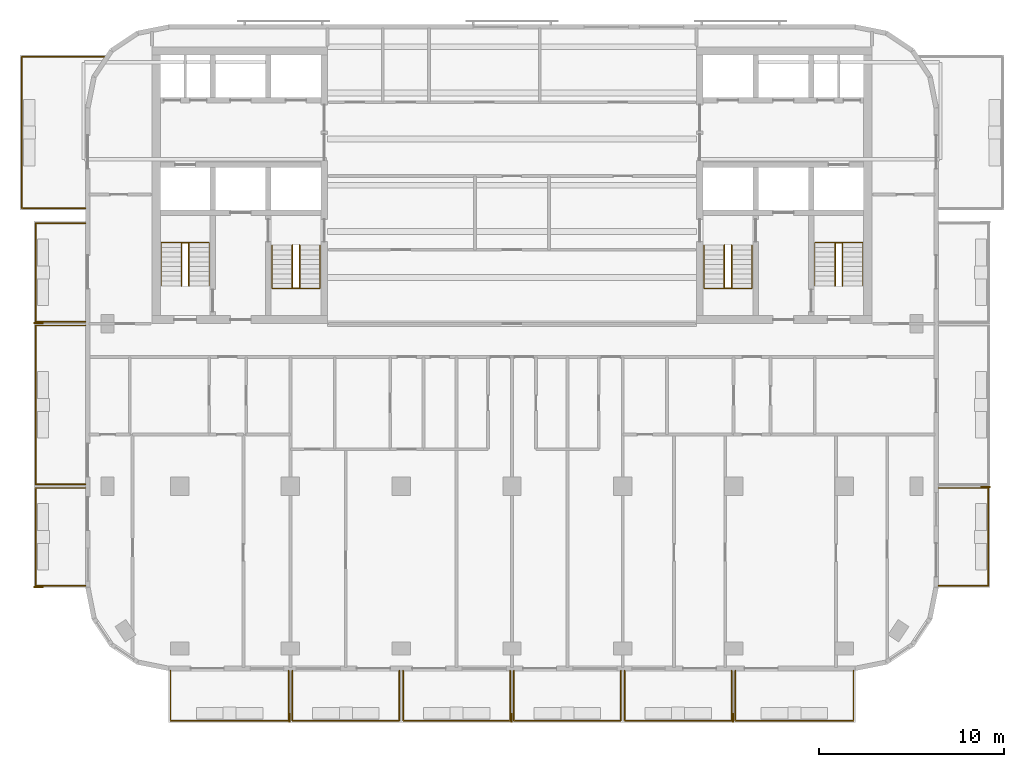
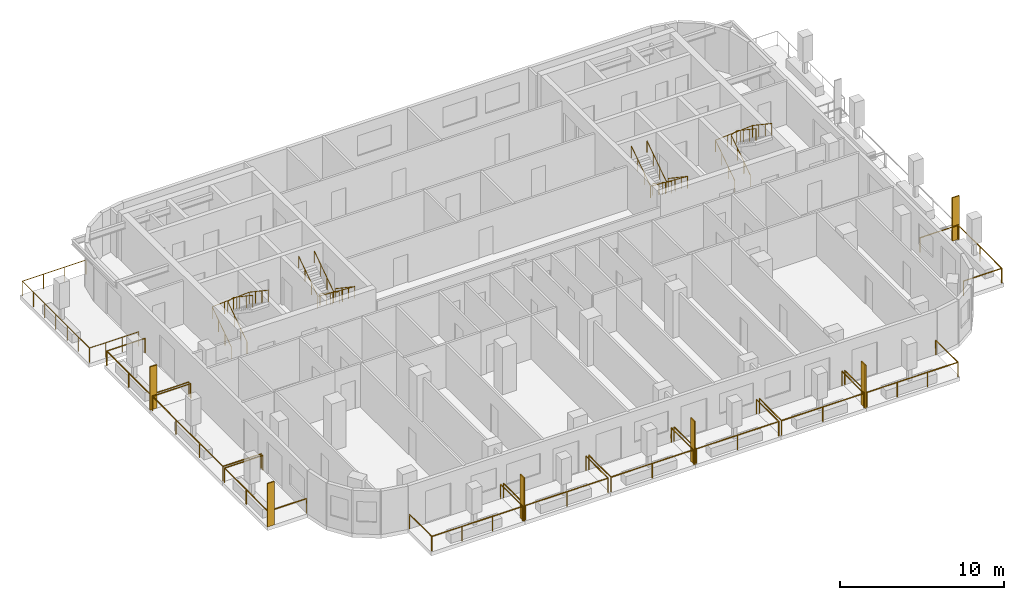
# One storey, part 9 of 11: 19 railings, 6 shading devices.
"""IFC4 building model written with IfcOpenShell, lengths in metres."""

from ifc_helpers import new_model, si_unit, direction, frame, origin, origin_2d, place, context, subcontext, project, spatial, rectangle, circle, extrude, material, layer, layer_set, type_object, element, save


model = new_model("IFC4")

# Units and contexts
model_context = context("Model", 3, precision=1e-05, world=origin(), true_north=direction((0.0, 1.0)))
body_context = subcontext(model_context, "Body", "Model", "MODEL_VIEW")
ifc_project = project(units=[si_unit("LENGTHUNIT", "METRE"), si_unit("AREAUNIT", "SQUARE_METRE"), si_unit("VOLUMEUNIT", "CUBIC_METRE"), si_unit("PLANEANGLEUNIT", "RADIAN"), si_unit("MASSUNIT", "GRAM", prefix="KILO")], contexts=[model_context])

# Site, building, storey
site_placement = place(None, origin())
site = spatial("IfcSite", under=ifc_project, at=site_placement, CompositionType="ELEMENT")
building_placement = place(site_placement, origin())
building = spatial("IfcBuilding", under=site, at=building_placement, Name="Torana Hotel and Residences", CompositionType="ELEMENT")
storey_placement = place(building_placement, frame((0.0, 0.0, 291.10009765625)))
storey = spatial("IfcBuildingStorey", under=building, at=storey_placement, Name="L77", CompositionType="ELEMENT", Elevation=291.10009765625)

# Shading devices
ifc_material_1 = material(Name="Black powder coated aluminium", Category="aluminium")
ifc_layer = layer(ifc_material_1, 0.080078125)
ifc_layer_set = layer_set([ifc_layer], Name="FN1 VERTICAL FIN 500x80")
shading_device_type = type_object("IfcShadingDeviceType", Name="FN1 VERTICAL FIN 500x80", PredefinedType="USERDEFINED", material=ifc_layer_set)
for number, where, z_axis, x_axis, name in (
    (1, (-12.0400390625, -36.35009765625, 0.0), (0.0, 0.0, 1.0), (-1.0, 0.0, 0.0), "Fin 01"),
    (2, (-0.0400390625, -36.35009765625, 0.0), (0.0, 0.0, 1.0), (-1.0, 0.0, 0.0), "Fin 03"),
    (3, (11.9599609375, -36.35009765625, 0.0), (0.0, 0.0, 1.0), (-1.0, 0.0, 0.0), "Fin 05"),
    (4, (-25.64990234375, -29.260009765625, 0.0), (0.0, 0.0, 1.0), (0.0, 1.0, 0.0), "Fin 07"),
    (5, (-25.64990234375, -14.9599609375, 0.0), (0.0, 0.0, 1.0), (0.0, 1.0, 0.0), "Fin 09"),
    (6, (25.64990234375, -23.840087890625, 0.0), (0.0, 0.0, 1.0), (0.0, -1.0, 0.0), "Fin 11"),
):
    element("IfcShadingDevice", number, at=place(storey_placement, frame(where, z_axis=z_axis, x_axis=x_axis)), inside=storey, type_object=shading_device_type, Name=name, ObjectType="FIN", PredefinedType="USERDEFINED", context=body_context, shape_type="SweptSolid", body=[
        extrude(rectangle(XDim=0.080078125, YDim=0.5, at=origin_2d()), origin(), (0.0, 0.0, 1.0), 3.219970703125),
    ])

# Railings
ifc_material_2 = material(Name="Laminated glass balustrade with black handrail", Category="glass")
railing_type_1 = type_object("IfcRailingType", Name="GR1 BALCONY GUARD 1100 GLASS", PredefinedType="GUARDRAIL", material=ifc_material_2)
railing_1_placement = place(storey_placement, frame((-12.10009765625, -33.800048828125, 0.0)))
element("IfcRailing", 7, at=railing_1_placement, inside=storey, type_object=railing_type_1, Name="Balcony guard 01", PredefinedType="GUARDRAIL", context=body_context, shape_type="SweptSolid", body=[
    extrude(circle(Radius=0.02392578125, at=origin_2d()), frame((0.0, 0.0, 1.076171875), z_axis=(0.0, -1.0, 0.0), x_axis=(1.0, 0.0, 0.0)), (0.0, 0.0, 1.0), 2.699951171875),
    extrude(circle(Radius=0.02392578125, at=origin_2d()), frame((0.0, -2.699951171875, 1.076171875), z_axis=(-1.0, 0.0, 0.0), x_axis=(0.0, -1.0, 0.0)), (0.0, 0.0, 1.0), 6.39990234375),
    extrude(circle(Radius=0.02392578125, at=origin_2d()), frame((-6.39990234375, -2.699951171875, 1.076171875), z_axis=(0.0, 1.0, 0.0), x_axis=(-1.0, 0.0, 0.0)), (0.0, 0.0, 1.0), 2.699951171875),
    extrude(circle(Radius=0.02099609375, at=origin_2d()), origin(), (0.0, 0.0, 1.0), 1.052001953125),
    extrude(circle(Radius=0.02099609375, at=origin_2d()), frame((0.0, -2.699951171875, 0.0)), (0.0, 0.0, 1.0), 1.052001953125),
    extrude(circle(Radius=0.02099609375, at=origin_2d()), frame((-2.13330078125, -2.699951171875, 0.0)), (0.0, 0.0, 1.0), 1.052001953125),
    extrude(circle(Radius=0.02099609375, at=origin_2d()), frame((-4.2666015625, -2.699951171875, 0.0)), (0.0, 0.0, 1.0), 1.052001953125),
    extrude(circle(Radius=0.02099609375, at=origin_2d()), frame((-6.39990234375, -2.699951171875, 0.0)), (0.0, 0.0, 1.0), 1.052001953125),
    extrude(circle(Radius=0.02099609375, at=origin_2d()), frame((-6.39990234375, 0.0, 0.0)), (0.0, 0.0, 1.0), 1.052001953125),
])
for number, where, name in (
    (8, (-6.10009765625, -33.800048828125, 0.0), "Balcony guard 02"),
    (9, (-0.10009765625, -33.800048828125, 0.0), "Balcony guard 03"),
    (10, (5.89990234375, -33.800048828125, 0.0), "Balcony guard 04"),
    (11, (11.89990234375, -33.800048828125, 0.0), "Balcony guard 05"),
):
    element("IfcRailing", number, at=place(storey_placement, frame(where)), inside=storey, type_object=railing_type_1, Name=name, PredefinedType="GUARDRAIL", context=body_context, shape_type="SweptSolid", body=[
        extrude(circle(Radius=0.02392578125, at=origin_2d()), frame((0.0, 0.0, 1.076171875), z_axis=(0.0, -1.0, 0.0), x_axis=(1.0, 0.0, 0.0)), (0.0, 0.0, 1.0), 2.699951171875),
        extrude(circle(Radius=0.02392578125, at=origin_2d()), frame((0.0, -2.699951171875, 1.076171875), z_axis=(-1.0, 0.0, 0.0), x_axis=(0.0, -1.0, 0.0)), (0.0, 0.0, 1.0), 5.7998046875),
        extrude(circle(Radius=0.02392578125, at=origin_2d()), frame((-5.7998046875, -2.699951171875, 1.076171875), z_axis=(0.0, 1.0, 0.0), x_axis=(-1.0, 0.0, 0.0)), (0.0, 0.0, 1.0), 2.699951171875),
        extrude(circle(Radius=0.02099609375, at=origin_2d()), origin(), (0.0, 0.0, 1.0), 1.052001953125),
        extrude(circle(Radius=0.02099609375, at=origin_2d()), frame((0.0, -2.699951171875, 0.0)), (0.0, 0.0, 1.0), 1.052001953125),
        extrude(circle(Radius=0.02099609375, at=origin_2d()), frame((-2.89990234375, -2.699951171875, 0.0)), (0.0, 0.0, 1.0), 1.052001953125),
        extrude(circle(Radius=0.02099609375, at=origin_2d()), frame((-5.7998046875, -2.699951171875, 0.0)), (0.0, 0.0, 1.0), 1.052001953125),
        extrude(circle(Radius=0.02099609375, at=origin_2d()), frame((-5.7998046875, 0.0, 0.0)), (0.0, 0.0, 1.0), 1.052001953125),
    ])
railing_2_placement = place(storey_placement, frame((18.5, -33.800048828125, 0.0)))
element("IfcRailing", 12, at=railing_2_placement, inside=storey, type_object=railing_type_1, Name="Balcony guard 06", PredefinedType="GUARDRAIL", context=body_context, shape_type="SweptSolid", body=[
    extrude(circle(Radius=0.02392578125, at=origin_2d()), frame((0.0, 0.0, 1.076171875), z_axis=(0.0, -1.0, 0.0), x_axis=(1.0, 0.0, 0.0)), (0.0, 0.0, 1.0), 2.699951171875),
    extrude(circle(Radius=0.02392578125, at=origin_2d()), frame((0.0, -2.699951171875, 1.076171875), z_axis=(-1.0, 0.0, 0.0), x_axis=(0.0, -1.0, 0.0)), (0.0, 0.0, 1.0), 6.39990234375),
    extrude(circle(Radius=0.02392578125, at=origin_2d()), frame((-6.39990234375, -2.699951171875, 1.076171875), z_axis=(0.0, 1.0, 0.0), x_axis=(-1.0, 0.0, 0.0)), (0.0, 0.0, 1.0), 2.699951171875),
    extrude(circle(Radius=0.02099609375, at=origin_2d()), origin(), (0.0, 0.0, 1.0), 1.052001953125),
    extrude(circle(Radius=0.02099609375, at=origin_2d()), frame((0.0, -2.699951171875, 0.0)), (0.0, 0.0, 1.0), 1.052001953125),
    extrude(circle(Radius=0.02099609375, at=origin_2d()), frame((-2.13330078125, -2.699951171875, 0.0)), (0.0, 0.0, 1.0), 1.052001953125),
    extrude(circle(Radius=0.02099609375, at=origin_2d()), frame((-4.2666015625, -2.699951171875, 0.0)), (0.0, 0.0, 1.0), 1.052001953125),
    extrude(circle(Radius=0.02099609375, at=origin_2d()), frame((-6.39990234375, -2.699951171875, 0.0)), (0.0, 0.0, 1.0), 1.052001953125),
    extrude(circle(Radius=0.02099609375, at=origin_2d()), frame((-6.39990234375, 0.0, 0.0)), (0.0, 0.0, 1.0), 1.052001953125),
])
railing_3_placement = place(storey_placement, frame((-23.10009765625, -29.199951171875, 0.0)))
element("IfcRailing", 13, at=railing_3_placement, inside=storey, type_object=railing_type_1, Name="Balcony guard 07", PredefinedType="GUARDRAIL", context=body_context, shape_type="SweptSolid", body=[
    extrude(circle(Radius=0.02392578125, at=origin_2d()), frame((0.0, 0.0, 1.076171875), z_axis=(-1.0, 0.0, 0.0), x_axis=(0.0, -1.0, 0.0)), (0.0, 0.0, 1.0), 2.699951171875),
    extrude(circle(Radius=0.02392578125, at=origin_2d()), frame((-2.699951171875, 0.0, 1.076171875), z_axis=(0.0, 1.0, 0.0), x_axis=(-1.0, 0.0, 0.0)), (0.0, 0.0, 1.0), 5.300048828125),
    extrude(circle(Radius=0.02392578125, at=origin_2d()), frame((-2.699951171875, 5.300048828125, 1.076171875), z_axis=(1.0, 0.0, 0.0), x_axis=(0.0, 1.0, 0.0)), (0.0, 0.0, 1.0), 2.699951171875),
    extrude(circle(Radius=0.02099609375, at=origin_2d()), origin(), (0.0, 0.0, 1.0), 1.052001953125),
    extrude(circle(Radius=0.02099609375, at=origin_2d()), frame((-2.699951171875, 0.0, 0.0)), (0.0, 0.0, 1.0), 1.052001953125),
    extrude(circle(Radius=0.02099609375, at=origin_2d()), frame((-2.699951171875, 2.64990234375, 0.0)), (0.0, 0.0, 1.0), 1.052001953125),
    extrude(circle(Radius=0.02099609375, at=origin_2d()), frame((-2.699951171875, 5.300048828125, 0.0)), (0.0, 0.0, 1.0), 1.052001953125),
    extrude(circle(Radius=0.02099609375, at=origin_2d()), frame((0.0, 5.300048828125, 0.0)), (0.0, 0.0, 1.0), 1.052001953125),
])
railing_4_placement = place(storey_placement, frame((-23.10009765625, -23.699951171875, 0.0)))
element("IfcRailing", 14, at=railing_4_placement, inside=storey, type_object=railing_type_1, Name="Balcony guard 08", PredefinedType="GUARDRAIL", context=body_context, shape_type="SweptSolid", body=[
    extrude(circle(Radius=0.02392578125, at=origin_2d()), frame((0.0, 0.0, 1.076171875), z_axis=(-1.0, 0.0, 0.0), x_axis=(0.0, -1.0, 0.0)), (0.0, 0.0, 1.0), 2.699951171875),
    extrude(circle(Radius=0.02392578125, at=origin_2d()), frame((-2.699951171875, 0.0, 1.076171875), z_axis=(0.0, 1.0, 0.0), x_axis=(-1.0, 0.0, 0.0)), (0.0, 0.0, 1.0), 8.599853515625),
    extrude(circle(Radius=0.02392578125, at=origin_2d()), frame((-2.699951171875, 8.599853515625, 1.076171875), z_axis=(1.0, 0.0, 0.0), x_axis=(0.0, 1.0, 0.0)), (0.0, 0.0, 1.0), 2.699951171875),
    extrude(circle(Radius=0.02099609375, at=origin_2d()), origin(), (0.0, 0.0, 1.0), 1.052001953125),
    extrude(circle(Radius=0.02099609375, at=origin_2d()), frame((-2.699951171875, 0.0, 0.0)), (0.0, 0.0, 1.0), 1.052001953125),
    extrude(circle(Radius=0.02099609375, at=origin_2d()), frame((-2.699951171875, 2.86669921875, 0.0)), (0.0, 0.0, 1.0), 1.052001953125),
    extrude(circle(Radius=0.02099609375, at=origin_2d()), frame((-2.699951171875, 5.733154296875, 0.0)), (0.0, 0.0, 1.0), 1.052001953125),
    extrude(circle(Radius=0.02099609375, at=origin_2d()), frame((-2.699951171875, 8.599853515625, 0.0)), (0.0, 0.0, 1.0), 1.052001953125),
    extrude(circle(Radius=0.02099609375, at=origin_2d()), frame((0.0, 8.599853515625, 0.0)), (0.0, 0.0, 1.0), 1.052001953125),
])
railing_5_placement = place(storey_placement, frame((-23.10009765625, -14.89990234375, 0.0)))
element("IfcRailing", 15, at=railing_5_placement, inside=storey, type_object=railing_type_1, Name="Balcony guard 09", PredefinedType="GUARDRAIL", context=body_context, shape_type="SweptSolid", body=[
    extrude(circle(Radius=0.02392578125, at=origin_2d()), frame((0.0, 0.0, 1.076171875), z_axis=(-1.0, 0.0, 0.0), x_axis=(0.0, -1.0, 0.0)), (0.0, 0.0, 1.0), 2.699951171875),
    extrude(circle(Radius=0.02392578125, at=origin_2d()), frame((-2.699951171875, 0.0, 1.076171875), z_axis=(0.0, 1.0, 0.0), x_axis=(-1.0, 0.0, 0.0)), (0.0, 0.0, 1.0), 5.349853515625),
    extrude(circle(Radius=0.02392578125, at=origin_2d()), frame((-2.699951171875, 5.349853515625, 1.076171875), z_axis=(1.0, 0.0, 0.0), x_axis=(0.0, 1.0, 0.0)), (0.0, 0.0, 1.0), 2.699951171875),
    extrude(circle(Radius=0.02099609375, at=origin_2d()), origin(), (0.0, 0.0, 1.0), 1.052001953125),
    extrude(circle(Radius=0.02099609375, at=origin_2d()), frame((-2.699951171875, 0.0, 0.0)), (0.0, 0.0, 1.0), 1.052001953125),
    extrude(circle(Radius=0.02099609375, at=origin_2d()), frame((-2.699951171875, 2.6748046875, 0.0)), (0.0, 0.0, 1.0), 1.052001953125),
    extrude(circle(Radius=0.02099609375, at=origin_2d()), frame((-2.699951171875, 5.349853515625, 0.0)), (0.0, 0.0, 1.0), 1.052001953125),
    extrude(circle(Radius=0.02099609375, at=origin_2d()), frame((0.0, 5.349853515625, 0.0)), (0.0, 0.0, 1.0), 1.052001953125),
])
railing_6_placement = place(storey_placement, frame((-23.10009765625, -8.75, 0.0)))
element("IfcRailing", 16, at=railing_6_placement, inside=storey, type_object=railing_type_1, Name="Balcony guard 10", PredefinedType="GUARDRAIL", context=body_context, shape_type="SweptSolid", body=[
    extrude(circle(Radius=0.02392578125, at=origin_2d()), frame((0.0, 0.0, 1.076171875), z_axis=(-1.0, 0.0, 0.0), x_axis=(0.0, -1.0, 0.0)), (0.0, 0.0, 1.0), 3.449951171875),
    extrude(circle(Radius=0.02392578125, at=origin_2d()), frame((-3.449951171875, 0.0, 1.076171875), z_axis=(0.0, 1.0, 0.0), x_axis=(-1.0, 0.0, 0.0)), (0.0, 0.0, 1.0), 8.199951171875),
    extrude(circle(Radius=0.02392578125, at=origin_2d()), frame((-3.449951171875, 8.199951171875, 1.076171875), z_axis=(1.0, 0.0, 0.0), x_axis=(0.0, 1.0, 0.0)), (0.0, 0.0, 1.0), 4.479248046875),
    extrude(circle(Radius=0.02099609375, at=origin_2d()), origin(), (0.0, 0.0, 1.0), 1.052001953125),
    extrude(circle(Radius=0.02099609375, at=origin_2d()), frame((-1.14990234375, 0.0, 0.0)), (0.0, 0.0, 1.0), 1.052001953125),
    extrude(circle(Radius=0.02099609375, at=origin_2d()), frame((-2.300048828125, 0.0, 0.0)), (0.0, 0.0, 1.0), 1.052001953125),
    extrude(circle(Radius=0.02099609375, at=origin_2d()), frame((-3.449951171875, 0.0, 0.0)), (0.0, 0.0, 1.0), 1.052001953125),
    extrude(circle(Radius=0.02099609375, at=origin_2d()), frame((-3.449951171875, 1.36669921875, 0.0)), (0.0, 0.0, 1.0), 1.052001953125),
    extrude(circle(Radius=0.02099609375, at=origin_2d()), frame((-3.449951171875, 2.7333984375, 0.0)), (0.0, 0.0, 1.0), 1.052001953125),
    extrude(circle(Radius=0.02099609375, at=origin_2d()), frame((-3.449951171875, 4.10009765625, 0.0)), (0.0, 0.0, 1.0), 1.052001953125),
    extrude(circle(Radius=0.02099609375, at=origin_2d()), frame((-3.449951171875, 5.466552734375, 0.0)), (0.0, 0.0, 1.0), 1.052001953125),
    extrude(circle(Radius=0.02099609375, at=origin_2d()), frame((-3.449951171875, 6.833251953125, 0.0)), (0.0, 0.0, 1.0), 1.052001953125),
    extrude(circle(Radius=0.02099609375, at=origin_2d()), frame((-3.449951171875, 8.199951171875, 0.0)), (0.0, 0.0, 1.0), 1.052001953125),
    extrude(circle(Radius=0.02099609375, at=origin_2d()), frame((-1.956787109375, 8.199951171875, 0.0)), (0.0, 0.0, 1.0), 1.052001953125),
    extrude(circle(Radius=0.02099609375, at=origin_2d()), frame((-0.4638671875, 8.199951171875, 0.0)), (0.0, 0.0, 1.0), 1.052001953125),
    extrude(circle(Radius=0.02099609375, at=origin_2d()), frame((1.029296875, 8.199951171875, 0.0)), (0.0, 0.0, 1.0), 1.052001953125),
])
railing_7_placement = place(storey_placement, frame((23.10009765625, -23.89990234375, 0.0)))
element("IfcRailing", 17, at=railing_7_placement, inside=storey, type_object=railing_type_1, Name="Balcony guard 11", PredefinedType="GUARDRAIL", context=body_context, shape_type="SweptSolid", body=[
    extrude(circle(Radius=0.02392578125, at=origin_2d()), frame((0.0, 0.0, 1.076171875), z_axis=(1.0, 0.0, 0.0), x_axis=(0.0, 1.0, 0.0)), (0.0, 0.0, 1.0), 2.699951171875),
    extrude(circle(Radius=0.02392578125, at=origin_2d()), frame((2.699951171875, 0.0, 1.076171875), z_axis=(0.0, -1.0, 0.0), x_axis=(1.0, 0.0, 0.0)), (0.0, 0.0, 1.0), 5.300048828125),
    extrude(circle(Radius=0.02392578125, at=origin_2d()), frame((2.699951171875, -5.300048828125, 1.076171875), z_axis=(-1.0, 0.0, 0.0), x_axis=(0.0, -1.0, 0.0)), (0.0, 0.0, 1.0), 2.699951171875),
    extrude(circle(Radius=0.02099609375, at=origin_2d()), origin(), (0.0, 0.0, 1.0), 1.052001953125),
    extrude(circle(Radius=0.02099609375, at=origin_2d()), frame((2.699951171875, 0.0, 0.0)), (0.0, 0.0, 1.0), 1.052001953125),
    extrude(circle(Radius=0.02099609375, at=origin_2d()), frame((2.699951171875, -2.64990234375, 0.0)), (0.0, 0.0, 1.0), 1.052001953125),
    extrude(circle(Radius=0.02099609375, at=origin_2d()), frame((2.699951171875, -5.300048828125, 0.0)), (0.0, 0.0, 1.0), 1.052001953125),
    extrude(circle(Radius=0.02099609375, at=origin_2d()), frame((0.0, -5.300048828125, 0.0)), (0.0, 0.0, 1.0), 1.052001953125),
])
ifc_material_3 = material(Name="Stainless steel 316", Category="steel")
railing_type_2 = type_object("IfcRailingType", Name="STAIR HANDRAIL HR1 900", PredefinedType="HANDRAIL", material=ifc_material_3)
railing_8_placement = place(storey_placement, frame((-10.39990234375, -10.75, 0.1748046875)))
element("IfcRailing", 18, at=railing_8_placement, inside=storey, type_object=railing_type_2, Name="Handrail ST1 L77 O1", PredefinedType="HANDRAIL", context=body_context, shape_type="SweptSolid", body=[
    extrude(circle(Radius=0.02392578125, at=origin_2d()), frame((0.0, 0.0, 0.8759765625), z_axis=(0.0, -0.829565388462, 0.558409586474), x_axis=(1.0, 0.0, 0.0)), (0.0, 0.0, 1.0), 2.82080078125),
    extrude(circle(Radius=0.02392578125, at=origin_2d()), frame((0.0, -2.340087890625, 2.451171875), z_axis=(-0.997747692642, 0.0, 0.067078624219), x_axis=(0.0, -1.0, 0.0)), (0.0, 0.0, 1.0), 2.60595703125),
    extrude(circle(Radius=0.02392578125, at=origin_2d()), frame((-2.60009765625, -2.340087890625, 2.6259765625), z_axis=(0.0, 0.829565388462, 0.558409586474), x_axis=(-1.0, 0.0, 0.0)), (0.0, 0.0, 1.0), 2.82080078125),
    extrude(circle(Radius=0.02099609375, at=origin_2d()), origin(), (0.0, 0.0, 1.0), 0.851806640625),
    extrude(circle(Radius=0.02099609375, at=origin_2d()), frame((0.0, -0.780029296875, 0.525146484375)), (0.0, 0.0, 1.0), 0.851806640625),
    extrude(circle(Radius=0.02099609375, at=origin_2d()), frame((0.0, -1.56005859375, 1.050048828125)), (0.0, 0.0, 1.0), 0.851806640625),
    extrude(circle(Radius=0.02099609375, at=origin_2d()), frame((0.0, -2.340087890625, 1.5751953125)), (0.0, 0.0, 1.0), 0.851806640625),
    extrude(circle(Radius=0.02099609375, at=origin_2d()), frame((-0.86669921875, -2.340087890625, 1.633544921875)), (0.0, 0.0, 1.0), 0.851806640625),
    extrude(circle(Radius=0.02099609375, at=origin_2d()), frame((-1.7333984375, -2.340087890625, 1.691650390625)), (0.0, 0.0, 1.0), 0.851806640625),
    extrude(circle(Radius=0.02099609375, at=origin_2d()), frame((-2.60009765625, -2.340087890625, 1.75)), (0.0, 0.0, 1.0), 0.851806640625),
    extrude(circle(Radius=0.02099609375, at=origin_2d()), frame((-2.60009765625, -1.56005859375, 2.275146484375)), (0.0, 0.0, 1.0), 0.851806640625),
    extrude(circle(Radius=0.02099609375, at=origin_2d()), frame((-2.60009765625, -0.780029296875, 2.800048828125)), (0.0, 0.0, 1.0), 0.851806640625),
    extrude(circle(Radius=0.02099609375, at=origin_2d()), frame((-2.60009765625, 0.0, 3.3251953125)), (0.0, 0.0, 1.0), 0.851806640625),
])
railing_9_placement = place(storey_placement, frame((-11.5, -10.75, 0.1748046875)))
element("IfcRailing", 19, at=railing_9_placement, inside=storey, type_object=railing_type_2, Name="Handrail ST1 L77 I1", PredefinedType="HANDRAIL", context=body_context, shape_type="SweptSolid", body=[
    extrude(circle(Radius=0.02392578125, at=origin_2d()), frame((0.0, 0.0, 0.8759765625), z_axis=(0.0, -0.829565388462, 0.558409586474), x_axis=(1.0, 0.0, 0.0)), (0.0, 0.0, 1.0), 2.82080078125),
    extrude(circle(Radius=0.02392578125, at=origin_2d()), frame((0.0, -2.340087890625, 2.451171875), z_axis=(-0.916285673175, 0.0, 0.400525361412), x_axis=(0.0, -1.0, 0.0)), (0.0, 0.0, 1.0), 0.4365234375),
    extrude(circle(Radius=0.02392578125, at=origin_2d()), frame((-0.39990234375, -2.340087890625, 2.6259765625), z_axis=(0.0, 0.829565388462, 0.558409586474), x_axis=(-1.0, 0.0, 0.0)), (0.0, 0.0, 1.0), 2.82080078125),
    extrude(circle(Radius=0.02099609375, at=origin_2d()), origin(), (0.0, 0.0, 1.0), 0.851806640625),
    extrude(circle(Radius=0.02099609375, at=origin_2d()), frame((0.0, -0.780029296875, 0.525146484375)), (0.0, 0.0, 1.0), 0.851806640625),
    extrude(circle(Radius=0.02099609375, at=origin_2d()), frame((0.0, -1.56005859375, 1.050048828125)), (0.0, 0.0, 1.0), 0.851806640625),
    extrude(circle(Radius=0.02099609375, at=origin_2d()), frame((0.0, -2.340087890625, 1.5751953125)), (0.0, 0.0, 1.0), 0.851806640625),
    extrude(circle(Radius=0.02099609375, at=origin_2d()), frame((-0.39990234375, -2.340087890625, 1.75)), (0.0, 0.0, 1.0), 0.851806640625),
    extrude(circle(Radius=0.02099609375, at=origin_2d()), frame((-0.39990234375, -1.56005859375, 2.275146484375)), (0.0, 0.0, 1.0), 0.851806640625),
    extrude(circle(Radius=0.02099609375, at=origin_2d()), frame((-0.39990234375, -0.780029296875, 2.800048828125)), (0.0, 0.0, 1.0), 0.851806640625),
    extrude(circle(Radius=0.02099609375, at=origin_2d()), frame((-0.39990234375, 0.0, 3.3251953125)), (0.0, 0.0, 1.0), 0.851806640625),
])
railing_10_placement = place(storey_placement, frame((-19.0, -12.949951171875, 0.1748046875)))
element("IfcRailing", 20, at=railing_10_placement, inside=storey, type_object=railing_type_2, Name="Handrail ST2 L77 O1", PredefinedType="HANDRAIL", context=body_context, shape_type="SweptSolid", body=[
    extrude(circle(Radius=0.02392578125, at=origin_2d()), frame((0.0, 0.0, 0.8759765625), z_axis=(0.0, 0.829538397957, 0.558449681095), x_axis=(-1.0, 0.0, 0.0)), (0.0, 0.0, 1.0), 2.820556640625),
    extrude(circle(Radius=0.02392578125, at=origin_2d()), frame((0.0, 2.33984375, 2.451171875), z_axis=(0.997747692642, 0.0, 0.067078624219), x_axis=(0.0, 1.0, 0.0)), (0.0, 0.0, 1.0), 2.60595703125),
    extrude(circle(Radius=0.02392578125, at=origin_2d()), frame((2.60009765625, 2.33984375, 2.6259765625), z_axis=(0.0, -0.829538397957, 0.558449681095), x_axis=(1.0, 0.0, 0.0)), (0.0, 0.0, 1.0), 2.820556640625),
    extrude(circle(Radius=0.02099609375, at=origin_2d()), origin(), (0.0, 0.0, 1.0), 0.851806640625),
    extrude(circle(Radius=0.02099609375, at=origin_2d()), frame((0.0, 0.780029296875, 0.525146484375)), (0.0, 0.0, 1.0), 0.851806640625),
    extrude(circle(Radius=0.02099609375, at=origin_2d()), frame((0.0, 1.559814453125, 1.050048828125)), (0.0, 0.0, 1.0), 0.851806640625),
    extrude(circle(Radius=0.02099609375, at=origin_2d()), frame((0.0, 2.33984375, 1.5751953125)), (0.0, 0.0, 1.0), 0.851806640625),
    extrude(circle(Radius=0.02099609375, at=origin_2d()), frame((0.86669921875, 2.33984375, 1.633544921875)), (0.0, 0.0, 1.0), 0.851806640625),
    extrude(circle(Radius=0.02099609375, at=origin_2d()), frame((1.7333984375, 2.33984375, 1.691650390625)), (0.0, 0.0, 1.0), 0.851806640625),
    extrude(circle(Radius=0.02099609375, at=origin_2d()), frame((2.60009765625, 2.33984375, 1.75)), (0.0, 0.0, 1.0), 0.851806640625),
    extrude(circle(Radius=0.02099609375, at=origin_2d()), frame((2.60009765625, 1.559814453125, 2.275146484375)), (0.0, 0.0, 1.0), 0.851806640625),
    extrude(circle(Radius=0.02099609375, at=origin_2d()), frame((2.60009765625, 0.780029296875, 2.800048828125)), (0.0, 0.0, 1.0), 0.851806640625),
    extrude(circle(Radius=0.02099609375, at=origin_2d()), frame((2.60009765625, 0.0, 3.3251953125)), (0.0, 0.0, 1.0), 0.851806640625),
])
railing_11_placement = place(storey_placement, frame((-17.89990234375, -12.949951171875, 0.1748046875)))
element("IfcRailing", 21, at=railing_11_placement, inside=storey, type_object=railing_type_2, Name="Handrail ST2 L77 I1", PredefinedType="HANDRAIL", context=body_context, shape_type="SweptSolid", body=[
    extrude(circle(Radius=0.02392578125, at=origin_2d()), frame((0.0, 0.0, 0.8759765625), z_axis=(0.0, 0.829538397957, 0.558449681095), x_axis=(-1.0, 0.0, 0.0)), (0.0, 0.0, 1.0), 2.820556640625),
    extrude(circle(Radius=0.02392578125, at=origin_2d()), frame((0.0, 2.33984375, 2.451171875), z_axis=(0.916285673175, 0.0, 0.400525361412), x_axis=(0.0, 1.0, 0.0)), (0.0, 0.0, 1.0), 0.4365234375),
    extrude(circle(Radius=0.02392578125, at=origin_2d()), frame((0.39990234375, 2.33984375, 2.6259765625), z_axis=(0.0, -0.829538397957, 0.558449681095), x_axis=(1.0, 0.0, 0.0)), (0.0, 0.0, 1.0), 2.820556640625),
    extrude(circle(Radius=0.02099609375, at=origin_2d()), origin(), (0.0, 0.0, 1.0), 0.851806640625),
    extrude(circle(Radius=0.02099609375, at=origin_2d()), frame((0.0, 0.780029296875, 0.525146484375)), (0.0, 0.0, 1.0), 0.851806640625),
    extrude(circle(Radius=0.02099609375, at=origin_2d()), frame((0.0, 1.559814453125, 1.050048828125)), (0.0, 0.0, 1.0), 0.851806640625),
    extrude(circle(Radius=0.02099609375, at=origin_2d()), frame((0.0, 2.33984375, 1.5751953125)), (0.0, 0.0, 1.0), 0.851806640625),
    extrude(circle(Radius=0.02099609375, at=origin_2d()), frame((0.39990234375, 2.33984375, 1.75)), (0.0, 0.0, 1.0), 0.851806640625),
    extrude(circle(Radius=0.02099609375, at=origin_2d()), frame((0.39990234375, 1.559814453125, 2.275146484375)), (0.0, 0.0, 1.0), 0.851806640625),
    extrude(circle(Radius=0.02099609375, at=origin_2d()), frame((0.39990234375, 0.780029296875, 2.800048828125)), (0.0, 0.0, 1.0), 0.851806640625),
    extrude(circle(Radius=0.02099609375, at=origin_2d()), frame((0.39990234375, 0.0, 3.3251953125)), (0.0, 0.0, 1.0), 0.851806640625),
])
railing_12_placement = place(storey_placement, frame((13.0, -10.75, 0.1748046875)))
element("IfcRailing", 22, at=railing_12_placement, inside=storey, type_object=railing_type_2, Name="Handrail ST3 L77 O1", PredefinedType="HANDRAIL", context=body_context, shape_type="SweptSolid", body=[
    extrude(circle(Radius=0.02392578125, at=origin_2d()), frame((0.0, 0.0, 0.8759765625), z_axis=(0.0, -0.829565388462, 0.558409586474), x_axis=(1.0, 0.0, 0.0)), (0.0, 0.0, 1.0), 2.82080078125),
    extrude(circle(Radius=0.02392578125, at=origin_2d()), frame((0.0, -2.340087890625, 2.451171875), z_axis=(-0.997747692642, 0.0, 0.067078624219), x_axis=(0.0, -1.0, 0.0)), (0.0, 0.0, 1.0), 2.60595703125),
    extrude(circle(Radius=0.02392578125, at=origin_2d()), frame((-2.60009765625, -2.340087890625, 2.6259765625), z_axis=(0.0, 0.829565388462, 0.558409586474), x_axis=(-1.0, 0.0, 0.0)), (0.0, 0.0, 1.0), 2.82080078125),
    extrude(circle(Radius=0.02099609375, at=origin_2d()), origin(), (0.0, 0.0, 1.0), 0.851806640625),
    extrude(circle(Radius=0.02099609375, at=origin_2d()), frame((0.0, -0.780029296875, 0.525146484375)), (0.0, 0.0, 1.0), 0.851806640625),
    extrude(circle(Radius=0.02099609375, at=origin_2d()), frame((0.0, -1.56005859375, 1.050048828125)), (0.0, 0.0, 1.0), 0.851806640625),
    extrude(circle(Radius=0.02099609375, at=origin_2d()), frame((0.0, -2.340087890625, 1.5751953125)), (0.0, 0.0, 1.0), 0.851806640625),
    extrude(circle(Radius=0.02099609375, at=origin_2d()), frame((-0.86669921875, -2.340087890625, 1.633544921875)), (0.0, 0.0, 1.0), 0.851806640625),
    extrude(circle(Radius=0.02099609375, at=origin_2d()), frame((-1.7333984375, -2.340087890625, 1.691650390625)), (0.0, 0.0, 1.0), 0.851806640625),
    extrude(circle(Radius=0.02099609375, at=origin_2d()), frame((-2.60009765625, -2.340087890625, 1.75)), (0.0, 0.0, 1.0), 0.851806640625),
    extrude(circle(Radius=0.02099609375, at=origin_2d()), frame((-2.60009765625, -1.56005859375, 2.275146484375)), (0.0, 0.0, 1.0), 0.851806640625),
    extrude(circle(Radius=0.02099609375, at=origin_2d()), frame((-2.60009765625, -0.780029296875, 2.800048828125)), (0.0, 0.0, 1.0), 0.851806640625),
    extrude(circle(Radius=0.02099609375, at=origin_2d()), frame((-2.60009765625, 0.0, 3.3251953125)), (0.0, 0.0, 1.0), 0.851806640625),
])
railing_13_placement = place(storey_placement, frame((11.89990234375, -10.75, 0.1748046875)))
element("IfcRailing", 23, at=railing_13_placement, inside=storey, type_object=railing_type_2, Name="Handrail ST3 L77 I1", PredefinedType="HANDRAIL", context=body_context, shape_type="SweptSolid", body=[
    extrude(circle(Radius=0.02392578125, at=origin_2d()), frame((0.0, 0.0, 0.8759765625), z_axis=(0.0, -0.829565388462, 0.558409586474), x_axis=(1.0, 0.0, 0.0)), (0.0, 0.0, 1.0), 2.82080078125),
    extrude(circle(Radius=0.02392578125, at=origin_2d()), frame((0.0, -2.340087890625, 2.451171875), z_axis=(-0.916285673175, 0.0, 0.400525361412), x_axis=(0.0, -1.0, 0.0)), (0.0, 0.0, 1.0), 0.4365234375),
    extrude(circle(Radius=0.02392578125, at=origin_2d()), frame((-0.39990234375, -2.340087890625, 2.6259765625), z_axis=(0.0, 0.829565388462, 0.558409586474), x_axis=(-1.0, 0.0, 0.0)), (0.0, 0.0, 1.0), 2.82080078125),
    extrude(circle(Radius=0.02099609375, at=origin_2d()), origin(), (0.0, 0.0, 1.0), 0.851806640625),
    extrude(circle(Radius=0.02099609375, at=origin_2d()), frame((0.0, -0.780029296875, 0.525146484375)), (0.0, 0.0, 1.0), 0.851806640625),
    extrude(circle(Radius=0.02099609375, at=origin_2d()), frame((0.0, -1.56005859375, 1.050048828125)), (0.0, 0.0, 1.0), 0.851806640625),
    extrude(circle(Radius=0.02099609375, at=origin_2d()), frame((0.0, -2.340087890625, 1.5751953125)), (0.0, 0.0, 1.0), 0.851806640625),
    extrude(circle(Radius=0.02099609375, at=origin_2d()), frame((-0.39990234375, -2.340087890625, 1.75)), (0.0, 0.0, 1.0), 0.851806640625),
    extrude(circle(Radius=0.02099609375, at=origin_2d()), frame((-0.39990234375, -1.56005859375, 2.275146484375)), (0.0, 0.0, 1.0), 0.851806640625),
    extrude(circle(Radius=0.02099609375, at=origin_2d()), frame((-0.39990234375, -0.780029296875, 2.800048828125)), (0.0, 0.0, 1.0), 0.851806640625),
    extrude(circle(Radius=0.02099609375, at=origin_2d()), frame((-0.39990234375, 0.0, 3.3251953125)), (0.0, 0.0, 1.0), 0.851806640625),
])
railing_14_placement = place(storey_placement, frame((16.39990234375, -12.949951171875, 0.1748046875)))
element("IfcRailing", 24, at=railing_14_placement, inside=storey, type_object=railing_type_2, Name="Handrail ST4 L77 O1", PredefinedType="HANDRAIL", context=body_context, shape_type="SweptSolid", body=[
    extrude(circle(Radius=0.02392578125, at=origin_2d()), frame((0.0, 0.0, 0.8759765625), z_axis=(0.0, 0.829538397957, 0.558449681095), x_axis=(-1.0, 0.0, 0.0)), (0.0, 0.0, 1.0), 2.820556640625),
    extrude(circle(Radius=0.02392578125, at=origin_2d()), frame((0.0, 2.33984375, 2.451171875), z_axis=(0.997747692642, 0.0, 0.067078624219), x_axis=(0.0, 1.0, 0.0)), (0.0, 0.0, 1.0), 2.60595703125),
    extrude(circle(Radius=0.02392578125, at=origin_2d()), frame((2.60009765625, 2.33984375, 2.6259765625), z_axis=(0.0, -0.829538397957, 0.558449681095), x_axis=(1.0, 0.0, 0.0)), (0.0, 0.0, 1.0), 2.820556640625),
    extrude(circle(Radius=0.02099609375, at=origin_2d()), origin(), (0.0, 0.0, 1.0), 0.851806640625),
    extrude(circle(Radius=0.02099609375, at=origin_2d()), frame((0.0, 0.780029296875, 0.525146484375)), (0.0, 0.0, 1.0), 0.851806640625),
    extrude(circle(Radius=0.02099609375, at=origin_2d()), frame((0.0, 1.559814453125, 1.050048828125)), (0.0, 0.0, 1.0), 0.851806640625),
    extrude(circle(Radius=0.02099609375, at=origin_2d()), frame((0.0, 2.33984375, 1.5751953125)), (0.0, 0.0, 1.0), 0.851806640625),
    extrude(circle(Radius=0.02099609375, at=origin_2d()), frame((0.86669921875, 2.33984375, 1.633544921875)), (0.0, 0.0, 1.0), 0.851806640625),
    extrude(circle(Radius=0.02099609375, at=origin_2d()), frame((1.7333984375, 2.33984375, 1.691650390625)), (0.0, 0.0, 1.0), 0.851806640625),
    extrude(circle(Radius=0.02099609375, at=origin_2d()), frame((2.60009765625, 2.33984375, 1.75)), (0.0, 0.0, 1.0), 0.851806640625),
    extrude(circle(Radius=0.02099609375, at=origin_2d()), frame((2.60009765625, 1.559814453125, 2.275146484375)), (0.0, 0.0, 1.0), 0.851806640625),
    extrude(circle(Radius=0.02099609375, at=origin_2d()), frame((2.60009765625, 0.780029296875, 2.800048828125)), (0.0, 0.0, 1.0), 0.851806640625),
    extrude(circle(Radius=0.02099609375, at=origin_2d()), frame((2.60009765625, 0.0, 3.3251953125)), (0.0, 0.0, 1.0), 0.851806640625),
])
railing_15_placement = place(storey_placement, frame((17.5, -12.949951171875, 0.1748046875)))
element("IfcRailing", 25, at=railing_15_placement, inside=storey, type_object=railing_type_2, Name="Handrail ST4 L77 I1", PredefinedType="HANDRAIL", context=body_context, shape_type="SweptSolid", body=[
    extrude(circle(Radius=0.02392578125, at=origin_2d()), frame((0.0, 0.0, 0.8759765625), z_axis=(0.0, 0.829538397957, 0.558449681095), x_axis=(-1.0, 0.0, 0.0)), (0.0, 0.0, 1.0), 2.820556640625),
    extrude(circle(Radius=0.02392578125, at=origin_2d()), frame((0.0, 2.33984375, 2.451171875), z_axis=(0.916285673175, 0.0, 0.400525361412), x_axis=(0.0, 1.0, 0.0)), (0.0, 0.0, 1.0), 0.4365234375),
    extrude(circle(Radius=0.02392578125, at=origin_2d()), frame((0.39990234375, 2.33984375, 2.6259765625), z_axis=(0.0, -0.829538397957, 0.558449681095), x_axis=(1.0, 0.0, 0.0)), (0.0, 0.0, 1.0), 2.820556640625),
    extrude(circle(Radius=0.02099609375, at=origin_2d()), origin(), (0.0, 0.0, 1.0), 0.851806640625),
    extrude(circle(Radius=0.02099609375, at=origin_2d()), frame((0.0, 0.780029296875, 0.525146484375)), (0.0, 0.0, 1.0), 0.851806640625),
    extrude(circle(Radius=0.02099609375, at=origin_2d()), frame((0.0, 1.559814453125, 1.050048828125)), (0.0, 0.0, 1.0), 0.851806640625),
    extrude(circle(Radius=0.02099609375, at=origin_2d()), frame((0.0, 2.33984375, 1.5751953125)), (0.0, 0.0, 1.0), 0.851806640625),
    extrude(circle(Radius=0.02099609375, at=origin_2d()), frame((0.39990234375, 2.33984375, 1.75)), (0.0, 0.0, 1.0), 0.851806640625),
    extrude(circle(Radius=0.02099609375, at=origin_2d()), frame((0.39990234375, 1.559814453125, 2.275146484375)), (0.0, 0.0, 1.0), 0.851806640625),
    extrude(circle(Radius=0.02099609375, at=origin_2d()), frame((0.39990234375, 0.780029296875, 2.800048828125)), (0.0, 0.0, 1.0), 0.851806640625),
    extrude(circle(Radius=0.02099609375, at=origin_2d()), frame((0.39990234375, 0.0, 3.3251953125)), (0.0, 0.0, 1.0), 0.851806640625),
])

save(model, "model.ifc")
